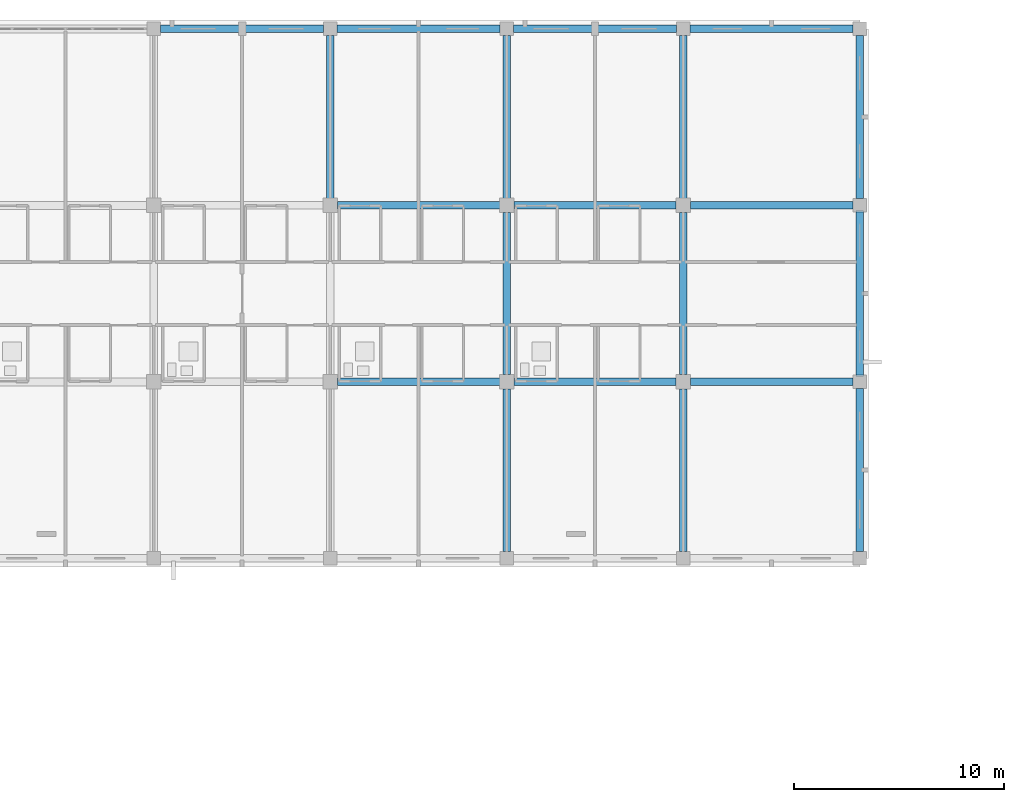
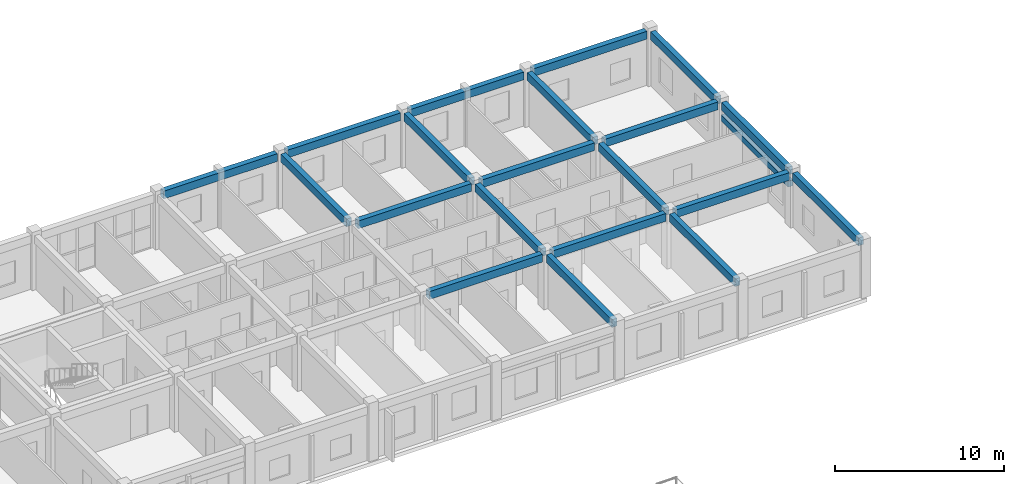
# One storey, part 52 of 90: 21 beams.
"""IFC4 building model written with IfcOpenShell, lengths in metres."""

from ifc_helpers import new_model, si_unit, direction, frame, origin, origin_2d, place, context, subcontext, project, spatial, rectangle, extrude, material, material_profile, profile_set, type_object, element, save


model = new_model("IFC4")

# Units and contexts
model_context = context("Model", 3, precision=1e-05, world=origin(), true_north=direction((0.0, 1.0)))
body_context = subcontext(model_context, "Body", "Model", "MODEL_VIEW")
ifc_project = project(units=[si_unit("LENGTHUNIT", "METRE"), si_unit("AREAUNIT", "SQUARE_METRE"), si_unit("VOLUMEUNIT", "CUBIC_METRE"), si_unit("PLANEANGLEUNIT", "RADIAN"), si_unit("MASSUNIT", "GRAM", prefix="KILO")], contexts=[model_context])

# Site, building, storey
site_placement = place(None, origin())
site = spatial("IfcSite", under=ifc_project, at=site_placement, CompositionType="ELEMENT")
building_placement = place(site_placement, origin())
building = spatial("IfcBuilding", under=site, at=building_placement, Name="Trelvath General Hospital", CompositionType="ELEMENT")
storey_placement = place(building_placement, frame((0.0, 0.0, 20.39990234375)))
storey = spatial("IfcBuildingStorey", under=building, at=storey_placement, Name="L05", CompositionType="ELEMENT", Elevation=20.39990234375)

# Beams
ifc_material_1 = material(Name="Concrete C35/45", Category="concrete")
ifc_material_profile_1 = material_profile(ifc_material_1, rectangle(XDim=0.35009765625, YDim=0.550048828125, at=origin_2d()), Name="RCB350x550")
ifc_profile_set_1 = profile_set([ifc_material_profile_1], Name="Concrete C35/45")
beam_type_1 = type_object("IfcBeamType", Name="Beam RC350x550", PredefinedType="BEAM", material=ifc_profile_set_1)
for number, where, z_axis, x_axis, name in (
    (1, (109.199951171875, 109.534912109375, 3.64501953125), (0.0, 1.0, 0.0), (-1.0, 0.0, 0.0), "Grid Beam BY-513N"),
    (2, (117.60009765625, 92.719970703125, 3.64501953125), (0.0, 1.0, 0.0), (-1.0, 0.0, 0.0), "Grid Beam BY-514L"),
):
    element("IfcBeam", number, at=place(storey_placement, frame(where, z_axis=z_axis, x_axis=x_axis)), inside=storey, type_object=beam_type_1, Name=name, PredefinedType="BEAM", context=body_context, shape_type="SweptSolid", body=[
        extrude(rectangle(XDim=0.35009765625, YDim=0.550048828125, at=origin_2d()), origin(), (0.0, 0.0, 1.0), 7.7451171875),
    ])
beam_1_placement = place(storey_placement, frame((117.60009765625, 101.135009765625, 3.64501953125), z_axis=(0.0, 1.0, 0.0), x_axis=(-1.0, 0.0, 0.0)))
element("IfcBeam", 3, at=beam_1_placement, inside=storey, type_object=beam_type_1, Name="Grid Beam BY-514M", PredefinedType="BEAM", context=body_context, shape_type="SweptSolid", body=[
    extrude(rectangle(XDim=0.35009765625, YDim=0.550048828125, at=origin_2d()), origin(), (0.0, 0.0, 1.0), 7.72998046875),
])
for number, where, z_axis, x_axis, name in (
    (4, (117.60009765625, 109.534912109375, 3.64501953125), (0.0, 1.0, 0.0), (-1.0, 0.0, 0.0), "Grid Beam BY-514N"),
    (5, (126.0, 92.719970703125, 3.64501953125), (0.0, 1.0, 0.0), (-1.0, 0.0, 0.0), "Grid Beam BY-515L"),
):
    element("IfcBeam", number, at=place(storey_placement, frame(where, z_axis=z_axis, x_axis=x_axis)), inside=storey, type_object=beam_type_1, Name=name, PredefinedType="BEAM", context=body_context, shape_type="SweptSolid", body=[
        extrude(rectangle(XDim=0.35009765625, YDim=0.550048828125, at=origin_2d()), origin(), (0.0, 0.0, 1.0), 7.7451171875),
    ])
beam_2_placement = place(storey_placement, frame((126.0, 101.135009765625, 3.64501953125), z_axis=(0.0, 1.0, 0.0), x_axis=(-1.0, 0.0, 0.0)))
element("IfcBeam", 6, at=beam_2_placement, inside=storey, type_object=beam_type_1, Name="Grid Beam BY-515M", PredefinedType="BEAM", context=body_context, shape_type="SweptSolid", body=[
    extrude(rectangle(XDim=0.35009765625, YDim=0.550048828125, at=origin_2d()), origin(), (0.0, 0.0, 1.0), 7.72998046875),
])
beam_3_placement = place(storey_placement, frame((126.0, 109.534912109375, 3.64501953125), z_axis=(0.0, 1.0, 0.0), x_axis=(-1.0, 0.0, 0.0)))
element("IfcBeam", 7, at=beam_3_placement, inside=storey, type_object=beam_type_1, Name="Grid Beam BY-515N", PredefinedType="BEAM", context=body_context, shape_type="SweptSolid", body=[
    extrude(rectangle(XDim=0.35009765625, YDim=0.550048828125, at=origin_2d()), origin(), (0.0, 0.0, 1.0), 7.7451171875),
])
beam_4_placement = place(storey_placement, frame((134.39990234375, 92.719970703125, 3.64501953125), z_axis=(0.0, 1.0, 0.0), x_axis=(-1.0, 0.0, 0.0)))
element("IfcBeam", 8, at=beam_4_placement, inside=storey, type_object=beam_type_1, Name="Grid Beam BY-516L", PredefinedType="BEAM", context=body_context, shape_type="SweptSolid", body=[
    extrude(rectangle(XDim=0.35009765625, YDim=0.550048828125, at=origin_2d()), origin(), (0.0, 0.0, 1.0), 7.760009765625),
])
beam_5_placement = place(storey_placement, frame((134.39990234375, 101.1201171875, 3.64501953125), z_axis=(0.0, 1.0, 0.0), x_axis=(-1.0, 0.0, 0.0)))
element("IfcBeam", 9, at=beam_5_placement, inside=storey, type_object=beam_type_1, Name="Grid Beam BY-516M", PredefinedType="BEAM", context=body_context, shape_type="SweptSolid", body=[
    extrude(rectangle(XDim=0.35009765625, YDim=0.550048828125, at=origin_2d()), origin(), (0.0, 0.0, 1.0), 7.759765625),
])
beam_6_placement = place(storey_placement, frame((134.39990234375, 109.52001953125, 3.64501953125), z_axis=(0.0, 1.0, 0.0), x_axis=(-1.0, 0.0, 0.0)))
element("IfcBeam", 10, at=beam_6_placement, inside=storey, type_object=beam_type_1, Name="Grid Beam BY-516N", PredefinedType="BEAM", context=body_context, shape_type="SweptSolid", body=[
    extrude(rectangle(XDim=0.35009765625, YDim=0.550048828125, at=origin_2d()), origin(), (0.0, 0.0, 1.0), 7.760009765625),
])
ifc_material_2 = material(Name="Concrete C35/45", Category="concrete")
ifc_material_profile_2 = material_profile(ifc_material_2, rectangle(XDim=0.360107421875, YDim=0.56005859375, at=origin_2d()), Name="RCB360x560")
ifc_profile_set_2 = profile_set([ifc_material_profile_2], Name="Concrete C35/45")
beam_type_2 = type_object("IfcBeamType", Name="Beam RC360x560", PredefinedType="BEAM", material=ifc_profile_set_2)
beam_7_placement = place(storey_placement, frame((101.1201171875, 117.60009765625, 3.64013671875), z_axis=(1.0, 0.0, 0.0), x_axis=(0.0, 1.0, 0.0)))
element("IfcBeam", 11, at=beam_7_placement, inside=storey, type_object=beam_type_2, Name="Grid Beam BX-512O", PredefinedType="BEAM", context=body_context, shape_type="SweptSolid", body=[
    extrude(rectangle(XDim=0.360107421875, YDim=0.56005859375, at=origin_2d()), origin(), (0.0, 0.0, 1.0), 7.759765625),
])
for number, where, z_axis, x_axis, name in (
    (12, (109.534912109375, 100.800048828125, 3.64013671875), (1.0, 0.0, 0.0), (0.0, 1.0, 0.0), "Grid Beam BX-513M"),
    (13, (109.534912109375, 109.199951171875, 3.64013671875), (1.0, 0.0, 0.0), (0.0, 1.0, 0.0), "Grid Beam BX-513N"),
):
    element("IfcBeam", number, at=place(storey_placement, frame(where, z_axis=z_axis, x_axis=x_axis)), inside=storey, type_object=beam_type_2, Name=name, PredefinedType="BEAM", context=body_context, shape_type="SweptSolid", body=[
        extrude(rectangle(XDim=0.360107421875, YDim=0.56005859375, at=origin_2d()), origin(), (0.0, 0.0, 1.0), 7.72998046875),
    ])
beam_8_placement = place(storey_placement, frame((109.52001953125, 117.60009765625, 3.64013671875), z_axis=(1.0, 0.0, 0.0), x_axis=(0.0, 1.0, 0.0)))
element("IfcBeam", 14, at=beam_8_placement, inside=storey, type_object=beam_type_2, Name="Grid Beam BX-513O", PredefinedType="BEAM", context=body_context, shape_type="SweptSolid", body=[
    extrude(rectangle(XDim=0.360107421875, YDim=0.56005859375, at=origin_2d()), origin(), (0.0, 0.0, 1.0), 7.760009765625),
])
for number, where, z_axis, x_axis, name in (
    (15, (117.93505859375, 100.800048828125, 3.64013671875), (1.0, 0.0, 0.0), (0.0, 1.0, 0.0), "Grid Beam BX-514M"),
    (16, (117.93505859375, 109.199951171875, 3.64013671875), (1.0, 0.0, 0.0), (0.0, 1.0, 0.0), "Grid Beam BX-514N"),
):
    element("IfcBeam", number, at=place(storey_placement, frame(where, z_axis=z_axis, x_axis=x_axis)), inside=storey, type_object=beam_type_2, Name=name, PredefinedType="BEAM", context=body_context, shape_type="SweptSolid", body=[
        extrude(rectangle(XDim=0.360107421875, YDim=0.56005859375, at=origin_2d()), origin(), (0.0, 0.0, 1.0), 7.72998046875),
    ])
beam_9_placement = place(storey_placement, frame((117.919921875, 117.60009765625, 3.64013671875), z_axis=(1.0, 0.0, 0.0), x_axis=(0.0, 1.0, 0.0)))
element("IfcBeam", 17, at=beam_9_placement, inside=storey, type_object=beam_type_2, Name="Grid Beam BX-514O", PredefinedType="BEAM", context=body_context, shape_type="SweptSolid", body=[
    extrude(rectangle(XDim=0.360107421875, YDim=0.56005859375, at=origin_2d()), origin(), (0.0, 0.0, 1.0), 7.760009765625),
])
for number, where, z_axis, x_axis, name in (
    (18, (126.3349609375, 100.800048828125, 3.64013671875), (1.0, 0.0, 0.0), (0.0, 1.0, 0.0), "Grid Beam BX-515M"),
    (19, (126.3349609375, 109.199951171875, 3.64013671875), (1.0, 0.0, 0.0), (0.0, 1.0, 0.0), "Grid Beam BX-515N"),
):
    element("IfcBeam", number, at=place(storey_placement, frame(where, z_axis=z_axis, x_axis=x_axis)), inside=storey, type_object=beam_type_2, Name=name, PredefinedType="BEAM", context=body_context, shape_type="SweptSolid", body=[
        extrude(rectangle(XDim=0.360107421875, YDim=0.56005859375, at=origin_2d()), origin(), (0.0, 0.0, 1.0), 7.7451171875),
    ])
beam_10_placement = place(storey_placement, frame((126.320068359375, 117.60009765625, 3.64013671875), z_axis=(1.0, 0.0, 0.0), x_axis=(0.0, 1.0, 0.0)))
element("IfcBeam", 20, at=beam_10_placement, inside=storey, type_object=beam_type_2, Name="Grid Beam BX-515O", PredefinedType="BEAM", context=body_context, shape_type="SweptSolid", body=[
    extrude(rectangle(XDim=0.360107421875, YDim=0.56005859375, at=origin_2d()), origin(), (0.0, 0.0, 1.0), 7.760009765625),
])
ifc_material_3 = material(Name="Precast concrete C40/50", Category="concrete")
ifc_material_profile_3 = material_profile(ifc_material_3, rectangle(XDim=0.35009765625, YDim=0.419921875, at=origin_2d()), Name="PCL350x420")
ifc_profile_set_3 = profile_set([ifc_material_profile_3], Name="Precast concrete C40/50")
beam_type_3 = type_object("IfcBeamType", Name="Lintel PC350x420", PredefinedType="LINTEL", material=ifc_profile_set_3)
beam_11_placement = place(storey_placement, frame((134.39990234375, 108.9599609375, 2.77001953125), z_axis=(0.0, -1.0, 0.0), x_axis=(1.0, 0.0, 0.0)))
element("IfcBeam", 21, at=beam_11_placement, inside=storey, type_object=beam_type_3, Name="Precast Window Brow Lintel L05-547", PredefinedType="LINTEL", context=body_context, shape_type="SweptSolid", body=[
    extrude(rectangle(XDim=0.35009765625, YDim=0.419921875, at=origin_2d()), origin(), (0.0, 0.0, 1.0), 7.919921875),
])

save(model, "model.ifc")
